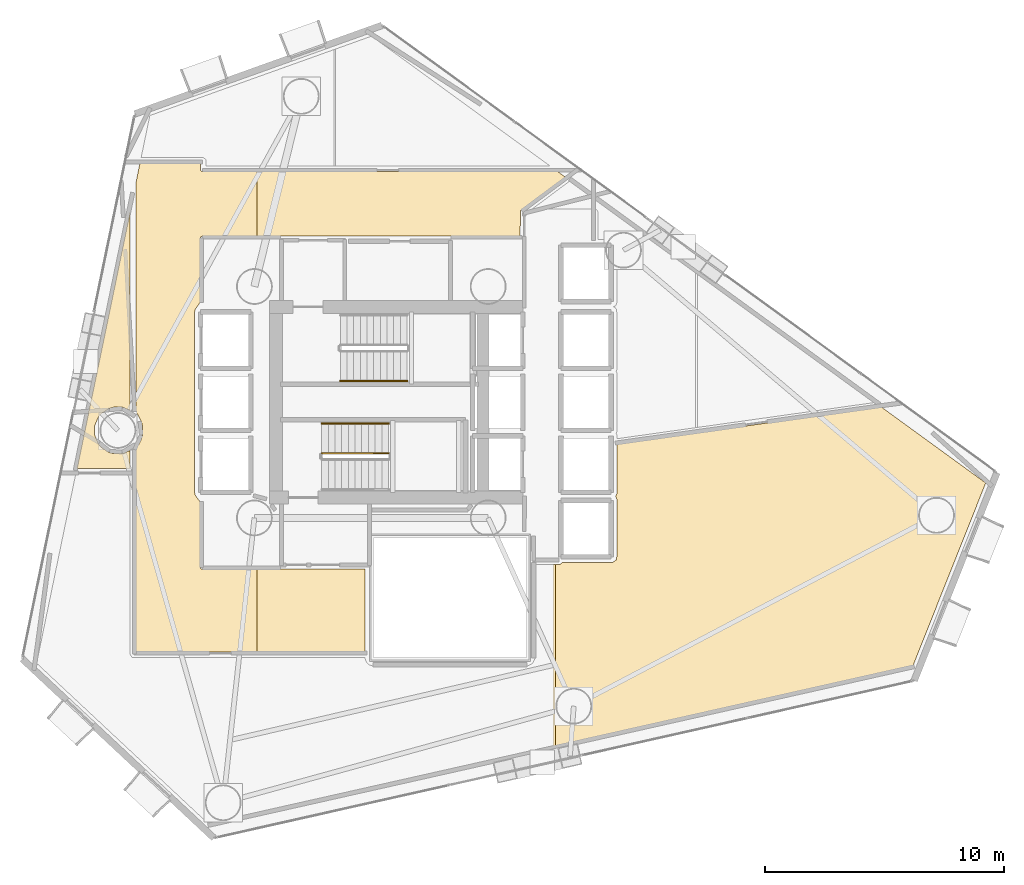
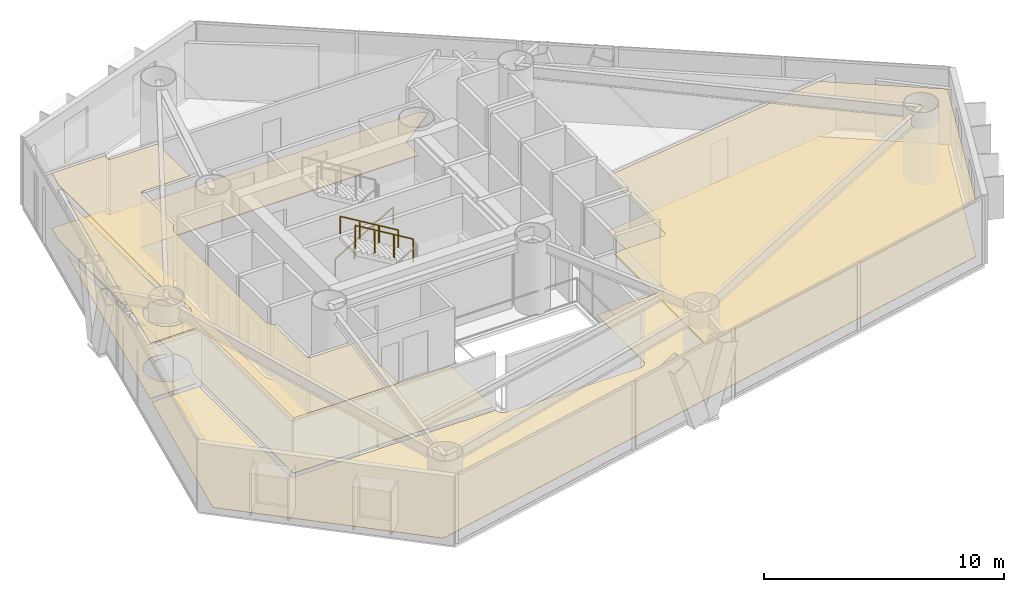
# One storey, part 17 of 18: 6 coverings, 3 railings.
"""IFC4 building model written with IfcOpenShell, lengths in metres."""

from ifc_helpers import new_model, si_unit, direction, frame, origin, origin_2d, place, context, subcontext, project, spatial, polyline, rectangle, outline, extrude, material, layer, layer_set, type_object, element, save


model = new_model("IFC4")

# Units and contexts
model_context = context("Model", 3, precision=1e-05, world=origin(), true_north=direction((0.0, 1.0)))
body_context = subcontext(model_context, "Body", "Model", "MODEL_VIEW")
ifc_project = project(units=[si_unit("LENGTHUNIT", "METRE"), si_unit("AREAUNIT", "SQUARE_METRE"), si_unit("VOLUMEUNIT", "CUBIC_METRE"), si_unit("PLANEANGLEUNIT", "RADIAN"), si_unit("MASSUNIT", "GRAM", prefix="KILO")], contexts=[model_context])

# Site, building, storey
site_placement = place(None, origin())
site = spatial("IfcSite", under=ifc_project, at=site_placement, CompositionType="ELEMENT")
building_placement = place(site_placement, origin())
building = spatial("IfcBuilding", under=site, at=building_placement, Name="Qianvela Tower", CompositionType="ELEMENT")
storey_placement = place(building_placement, frame((0.0, 0.0, 97.800048828125)))
storey = spatial("IfcBuildingStorey", under=building, at=storey_placement, Name="L24", CompositionType="ELEMENT", Elevation=97.800048828125)

# Coverings
ifc_material_1 = material(Name="Perforated Mineral Acoustic Ceiling Tile")
ifc_layer_1 = layer(ifc_material_1, 0.02490234375)
ifc_layer_set_1 = layer_set([ifc_layer_1], Name="Perforated Mineral Acoustic Ceiling Tile")
covering_type_1 = type_object("IfcCoveringType", Name="COV-CEIL-ACOUSTIC-25", PredefinedType="CEILING", material=ifc_layer_set_1)
covering_1_placement = place(storey_placement, frame((0.0, 0.0, 2.81494140625)))
element("IfcCovering", 1, at=covering_1_placement, inside=storey, type_object=covering_type_1, Name="L24 Acoustic Ceiling Bay 1 L24 Floor Corridor", PredefinedType="CEILING", context=body_context, shape_type="SweptSolid", body=[
    extrude(outline(polyline([(23.84814453125, 27.917724609375), (23.8447265625, 27.9248046875), (23.6298828125, 28.32666015625), (23.6298828125, 37.87353515625), (23.804931640625, 38.719970703125), (26.340087890625, 38.719970703125), (26.340087890625, 38.449951171875), (26.34033203125, 38.442138671875), (26.341552734375, 38.434326171875), (26.343505859375, 38.4267578125), (26.34619140625, 38.41943359375), (26.349365234375, 38.412353515625), (26.353515625, 38.405517578125), (26.358154296875, 38.399169921875), (26.36328125, 38.393310546875), (26.369140625, 38.38818359375), (26.37548828125, 38.383544921875), (26.38232421875, 38.37939453125), (26.389404296875, 38.376220703125), (26.396728515625, 38.373291015625), (26.404296875, 38.37158203125), (26.412109375, 38.370361328125), (26.419921875, 38.3701171875), (28.70068359375, 38.3701171875), (28.70068359375, 35.659912109375), (26.419921875, 35.659912109375), (26.412109375, 35.65966796875), (26.404296875, 35.658447265625), (26.396728515625, 35.656494140625), (26.389404296875, 35.65380859375), (26.38232421875, 35.650634765625), (26.37548828125, 35.646484375), (26.369140625, 35.641845703125), (26.36328125, 35.63671875), (26.358154296875, 35.630859375), (26.353515625, 35.62451171875), (26.349365234375, 35.61767578125), (26.34619140625, 35.610595703125), (26.343505859375, 35.603271484375), (26.341552734375, 35.595703125), (26.34033203125, 35.587890625), (26.340087890625, 35.580078125), (26.340087890625, 32.89599609375), (26.139404296875, 32.62548828125), (26.135498046875, 32.61962890625), (26.132080078125, 32.61376953125), (26.12939453125, 32.607421875), (26.126953125, 32.60107421875), (26.103515625, 32.523193359375), (26.1015625, 32.515625), (26.100341796875, 32.5078125), (26.10009765625, 32.5), (26.10009765625, 24.89990234375), (26.100341796875, 24.89208984375), (26.1015625, 24.884521484375), (26.103515625, 24.876708984375), (26.126953125, 24.799072265625), (26.12939453125, 24.79248046875), (26.132080078125, 24.786376953125), (26.135498046875, 24.7802734375), (26.139404296875, 24.774658203125), (26.340087890625, 24.50390625), (26.340087890625, 21.780029296875), (26.34033203125, 21.772216796875), (26.341552734375, 21.764404296875), (26.343505859375, 21.7568359375), (26.34619140625, 21.74951171875), (26.349365234375, 21.7421875), (26.353515625, 21.735595703125), (26.358154296875, 21.729248046875), (26.36328125, 21.723388671875), (26.369140625, 21.71826171875), (26.37548828125, 21.71337890625), (26.38232421875, 21.70947265625), (26.389404296875, 21.7060546875), (26.396728515625, 21.703369140625), (26.404296875, 21.701416015625), (26.412109375, 21.700439453125), (26.419921875, 21.699951171875), (28.70068359375, 21.699951171875), (28.70068359375, 18.22998046875), (23.6298828125, 18.22998046875), (23.6298828125, 26.705322265625), (23.8447265625, 27.107177734375), (23.84814453125, 27.1142578125), (23.8505859375, 27.12158203125), (23.906005859375, 27.303466796875), (23.90771484375, 27.311279296875), (23.908935546875, 27.31884765625), (23.909423828125, 27.326904296875), (23.909423828125, 27.705078125), (23.908935546875, 27.713134765625), (23.90771484375, 27.720703125), (23.906005859375, 27.728515625), (23.8505859375, 27.910400390625), (23.84814453125, 27.917724609375)])), origin(), (0.0, 0.0, 1.0), 0.02490234375),
])
covering_2_placement = place(storey_placement, frame((0.0, 0.0, 2.81494140625)))
element("IfcCovering", 2, at=covering_2_placement, inside=storey, type_object=covering_type_1, Name="L24 Acoustic Ceiling Bay 2 Shared Communal Kitchen L24-01", PredefinedType="CEILING", context=body_context, shape_type="SweptSolid", body=[
    extrude(outline(polyline([(43.74072265625, 24.750244140625), (43.74560546875, 24.756591796875), (43.74951171875, 24.76318359375), (43.7529296875, 24.7705078125), (43.7939453125, 24.869384765625), (43.796630859375, 24.876708984375), (43.798583984375, 24.884521484375), (43.799560546875, 24.89208984375), (43.800048828125, 24.89990234375), (43.800048828125, 26.944091796875), (54.877197265625, 28.500732421875), (59.256591796875, 25.315185546875), (56.208251953125, 17.656494140625), (41.21484375, 14.28515625), (41.21484375, 21.890380859375), (41.367919921875, 21.890380859375), (41.375732421875, 21.890869140625), (41.383544921875, 21.891845703125), (41.39111328125, 21.893798828125), (41.3984375, 21.896484375), (41.405517578125, 21.89990234375), (41.45947265625, 21.9287109375), (41.46630859375, 21.932861328125), (41.472900390625, 21.9375), (41.478759765625, 21.943115234375), (41.48388671875, 21.948974609375), (41.48876953125, 21.955322265625), (41.492919921875, 21.96240234375), (41.49609375, 21.969482421875), (41.498779296875, 21.97705078125), (41.49951171875, 21.97998046875), (43.59375, 21.980712890625), (43.602294921875, 21.981201171875), (43.610595703125, 21.982421875), (43.618896484375, 21.984619140625), (43.626708984375, 21.98779296875), (43.63427734375, 21.99169921875), (43.641357421875, 21.996337890625), (43.757080078125, 22.082275390625), (43.763427734375, 22.08740234375), (43.769287109375, 22.09326171875), (43.7744140625, 22.099609375), (43.77880859375, 22.106689453125), (43.782470703125, 22.114013671875), (43.785400390625, 22.12158203125), (43.78759765625, 22.129638671875), (43.788818359375, 22.1376953125), (43.789306640625, 22.14599609375), (43.800048828125, 24.599609375), (43.7998046875, 24.606689453125), (43.798828125, 24.613525390625), (43.79736328125, 24.620361328125), (43.79541015625, 24.626953125), (43.763427734375, 24.7158203125), (43.760498046875, 24.722900390625), (43.7568359375, 24.72998046875), (43.75244140625, 24.736572265625), (43.74755859375, 24.742431640625), (43.741943359375, 24.748046875), (43.740234375, 24.74951171875), (43.74072265625, 24.750244140625)])), origin(), (0.0, 0.0, 1.0), 0.02490234375),
])
covering_3_placement = place(storey_placement, frame((0.0, 0.0, 2.81494140625)))
element("IfcCovering", 3, at=covering_3_placement, inside=storey, type_object=covering_type_1, Name="L24 Acoustic Ceiling Floor Dining Kitchen L24-03", PredefinedType="CEILING", context=body_context, shape_type="SweptSolid", body=[
    extrude(outline(polyline([(23.389892578125, 26.67529296875), (23.389892578125, 25.928466796875), (21.16064453125, 25.928466796875), (23.389892578125, 36.712646484375), (23.389892578125, 28.356689453125), (23.086181640625, 28.482421875), (23.078857421875, 28.485107421875), (23.071044921875, 28.487060546875), (23.0634765625, 28.488037109375), (23.055419921875, 28.488525390625), (22.700439453125, 28.488525390625), (22.692626953125, 28.488037109375), (22.684814453125, 28.487060546875), (22.67724609375, 28.485107421875), (22.506591796875, 28.433349609375), (22.4990234375, 28.4306640625), (22.491943359375, 28.42724609375), (22.4853515625, 28.423095703125), (22.190185546875, 28.22607421875), (22.183837890625, 28.22119140625), (22.177978515625, 28.216064453125), (22.172607421875, 28.210205078125), (22.0595703125, 28.072265625), (22.0546875, 28.06591796875), (22.05078125, 28.059326171875), (22.047607421875, 28.05224609375), (21.91162109375, 27.72412109375), (21.908935546875, 27.716796875), (21.906982421875, 27.708984375), (21.906005859375, 27.701416015625), (21.888427734375, 27.523681640625), (21.887939453125, 27.51611328125), (21.888427734375, 27.50830078125), (21.906005859375, 27.33056640625), (21.906982421875, 27.322998046875), (21.908935546875, 27.315185546875), (21.91162109375, 27.307861328125), (22.047607421875, 26.979736328125), (22.05078125, 26.97265625), (22.0546875, 26.966064453125), (22.0595703125, 26.959716796875), (22.172607421875, 26.82177734375), (22.177978515625, 26.81591796875), (22.183837890625, 26.810791015625), (22.190185546875, 26.805908203125), (22.4853515625, 26.60888671875), (22.491943359375, 26.604736328125), (22.4990234375, 26.601318359375), (22.506591796875, 26.5986328125), (22.67724609375, 26.546875), (22.684814453125, 26.544921875), (22.692626953125, 26.5439453125), (22.700439453125, 26.54345703125), (23.055419921875, 26.54345703125), (23.0634765625, 26.5439453125), (23.071044921875, 26.544921875), (23.078857421875, 26.546875), (23.086181640625, 26.549560546875), (23.389892578125, 26.67529296875)])), origin(), (0.0, 0.0, 1.0), 0.02490234375),
])
ifc_material_2 = material(Name="Engineered Acoustic Oak Timber Flooring", Category="wood")
ifc_layer_2 = layer(ifc_material_2, 0.02001953125)
ifc_layer_set_2 = layer_set([ifc_layer_2], Name="Engineered Acoustic Oak Timber Flooring")
covering_type_2 = type_object("IfcCoveringType", Name="COV-FLOOR-OAK-20", PredefinedType="FLOORING", material=ifc_layer_set_2)
covering_4_placement = place(storey_placement, origin())
element("IfcCovering", 4, at=covering_4_placement, inside=storey, type_object=covering_type_2, Name="L24 Finish Flooring Shared Communal Kitchen L24-01", PredefinedType="FLOORING", context=body_context, shape_type="SweptSolid", body=[
    extrude(outline(polyline([(43.740234375, 24.74951171875), (43.74072265625, 24.750244140625), (43.74560546875, 24.756591796875), (43.74951171875, 24.76318359375), (43.7529296875, 24.7705078125), (43.7939453125, 24.869384765625), (43.796630859375, 24.876708984375), (43.798583984375, 24.884521484375), (43.799560546875, 24.89208984375), (43.800048828125, 24.89990234375), (43.800048828125, 26.944091796875), (54.877197265625, 28.500732421875), (59.256591796875, 25.315185546875), (56.208251953125, 17.656494140625), (26.683837890625, 11.017578125), (19.4716796875, 17.758544921875), (21.110107421875, 25.684326171875), (23.389892578125, 25.684326171875), (23.389892578125, 18.14990234375), (23.390380859375, 18.14208984375), (23.3916015625, 18.134521484375), (23.393310546875, 18.126708984375), (23.39599609375, 18.119384765625), (23.3994140625, 18.1123046875), (23.403564453125, 18.105712890625), (23.452880859375, 18.031494140625), (23.45751953125, 18.025390625), (23.462890625, 18.01953125), (23.468505859375, 18.014404296875), (23.474853515625, 18.009521484375), (23.481689453125, 18.005615234375), (23.48876953125, 18.002197265625), (23.49609375, 17.99951171875), (23.503662109375, 17.99755859375), (23.511474609375, 17.99658203125), (23.519287109375, 17.99609375), (33.243408203125, 17.989990234375), (33.24560546875, 17.94189453125), (33.24609375, 17.93505859375), (33.247314453125, 17.927978515625), (33.2490234375, 17.92138671875), (33.25146484375, 17.914794921875), (33.293212890625, 17.813720703125), (33.296630859375, 17.806640625), (33.30078125, 17.800048828125), (33.305419921875, 17.793701171875), (33.310546875, 17.787841796875), (33.387939453125, 17.710693359375), (33.39306640625, 17.705810546875), (33.398681640625, 17.70166015625), (33.40478515625, 17.69775390625), (33.410888671875, 17.694580078125), (33.41748046875, 17.69189453125), (33.545654296875, 17.64599609375), (33.554443359375, 17.643310546875), (33.5634765625, 17.641845703125), (33.572509765625, 17.641357421875), (40.02734375, 17.641357421875), (40.036376953125, 17.641845703125), (40.044921875, 17.643310546875), (40.053466796875, 17.645751953125), (40.0615234375, 17.64892578125), (40.232177734375, 17.729736328125), (40.239013671875, 17.7333984375), (40.24560546875, 17.73779296875), (40.251708984375, 17.74267578125), (40.25732421875, 17.748291015625), (40.26220703125, 17.75439453125), (40.2666015625, 17.760986328125), (40.270263671875, 17.767822265625), (40.35107421875, 17.9384765625), (40.354248046875, 17.946533203125), (40.356689453125, 17.955078125), (40.358154296875, 17.963623046875), (40.358642578125, 17.972412109375), (40.360107421875, 21.889892578125), (41.367919921875, 21.890380859375), (41.375732421875, 21.890869140625), (41.383544921875, 21.891845703125), (41.39111328125, 21.893798828125), (41.3984375, 21.896484375), (41.405517578125, 21.89990234375), (41.45947265625, 21.9287109375), (41.46630859375, 21.932861328125), (41.472900390625, 21.9375), (41.478759765625, 21.943115234375), (41.48388671875, 21.948974609375), (41.48876953125, 21.955322265625), (41.492919921875, 21.96240234375), (41.49609375, 21.969482421875), (41.498779296875, 21.97705078125), (41.49951171875, 21.97998046875), (43.59375, 21.980712890625), (43.602294921875, 21.981201171875), (43.610595703125, 21.982421875), (43.618896484375, 21.984619140625), (43.626708984375, 21.98779296875), (43.63427734375, 21.99169921875), (43.641357421875, 21.996337890625), (43.757080078125, 22.082275390625), (43.763427734375, 22.08740234375), (43.769287109375, 22.09326171875), (43.7744140625, 22.099609375), (43.77880859375, 22.106689453125), (43.782470703125, 22.114013671875), (43.785400390625, 22.12158203125), (43.78759765625, 22.129638671875), (43.788818359375, 22.1376953125), (43.789306640625, 22.14599609375), (43.800048828125, 24.599609375), (43.7998046875, 24.606689453125), (43.798828125, 24.613525390625), (43.79736328125, 24.620361328125), (43.79541015625, 24.626953125), (43.763427734375, 24.7158203125), (43.760498046875, 24.722900390625), (43.7568359375, 24.72998046875), (43.75244140625, 24.736572265625), (43.74755859375, 24.742431640625), (43.741943359375, 24.748046875), (43.740234375, 24.74951171875)])), origin(), (0.0, 0.0, 1.0), 0.02001953125),
])
covering_5_placement = place(storey_placement, origin())
element("IfcCovering", 5, at=covering_5_placement, inside=storey, type_object=covering_type_2, Name="L24 Finish Flooring Floor Dining Kitchen L24-03", PredefinedType="FLOORING", context=body_context, shape_type="SweptSolid", body=[
    extrude(outline(polyline([(23.389892578125, 26.67529296875), (23.389892578125, 25.928466796875), (21.16064453125, 25.928466796875), (23.389892578125, 36.712646484375), (23.389892578125, 28.356689453125), (23.086181640625, 28.482421875), (23.078857421875, 28.485107421875), (23.071044921875, 28.487060546875), (23.0634765625, 28.488037109375), (23.055419921875, 28.488525390625), (22.700439453125, 28.488525390625), (22.692626953125, 28.488037109375), (22.684814453125, 28.487060546875), (22.67724609375, 28.485107421875), (22.506591796875, 28.433349609375), (22.4990234375, 28.4306640625), (22.491943359375, 28.42724609375), (22.4853515625, 28.423095703125), (22.190185546875, 28.22607421875), (22.183837890625, 28.22119140625), (22.177978515625, 28.216064453125), (22.172607421875, 28.210205078125), (22.0595703125, 28.072265625), (22.0546875, 28.06591796875), (22.05078125, 28.059326171875), (22.047607421875, 28.05224609375), (21.91162109375, 27.72412109375), (21.908935546875, 27.716796875), (21.906982421875, 27.708984375), (21.906005859375, 27.701416015625), (21.888427734375, 27.523681640625), (21.887939453125, 27.51611328125), (21.888427734375, 27.50830078125), (21.906005859375, 27.33056640625), (21.906982421875, 27.322998046875), (21.908935546875, 27.315185546875), (21.91162109375, 27.307861328125), (22.047607421875, 26.979736328125), (22.05078125, 26.97265625), (22.0546875, 26.966064453125), (22.0595703125, 26.959716796875), (22.172607421875, 26.82177734375), (22.177978515625, 26.81591796875), (22.183837890625, 26.810791015625), (22.190185546875, 26.805908203125), (22.4853515625, 26.60888671875), (22.491943359375, 26.604736328125), (22.4990234375, 26.601318359375), (22.506591796875, 26.5986328125), (22.67724609375, 26.546875), (22.684814453125, 26.544921875), (22.692626953125, 26.5439453125), (22.700439453125, 26.54345703125), (23.055419921875, 26.54345703125), (23.0634765625, 26.5439453125), (23.071044921875, 26.544921875), (23.078857421875, 26.546875), (23.086181640625, 26.549560546875), (23.389892578125, 26.67529296875)])), origin(), (0.0, 0.0, 1.0), 0.02001953125),
])
ifc_material_3 = material(Name="Honed Stone Terrazzo Flooring", Category="masonry")
ifc_layer_3 = layer(ifc_material_3, 0.030029296875)
ifc_layer_set_3 = layer_set([ifc_layer_3], Name="Honed Stone Terrazzo Flooring")
covering_type_3 = type_object("IfcCoveringType", Name="COV-FLOOR-TERRAZZO-30", PredefinedType="FLOORING", material=ifc_layer_set_3)
covering_6_placement = place(storey_placement, origin())
element("IfcCovering", 6, at=covering_6_placement, inside=storey, type_object=covering_type_3, Name="L24 Finish Flooring L24 Floor Corridor", PredefinedType="FLOORING", context=body_context, shape_type="SweptSolid", body=[
    extrude(outline(polyline([(23.8505859375, 27.910400390625), (23.84814453125, 27.917724609375), (23.8447265625, 27.9248046875), (23.6298828125, 28.32666015625), (23.6298828125, 37.87353515625), (23.804931640625, 38.719970703125), (26.340087890625, 38.719970703125), (26.340087890625, 38.449951171875), (26.34033203125, 38.442138671875), (26.341552734375, 38.434326171875), (26.343505859375, 38.4267578125), (26.34619140625, 38.41943359375), (26.349365234375, 38.412353515625), (26.353515625, 38.405517578125), (26.358154296875, 38.399169921875), (26.36328125, 38.393310546875), (26.369140625, 38.38818359375), (26.37548828125, 38.383544921875), (26.38232421875, 38.37939453125), (26.389404296875, 38.376220703125), (26.396728515625, 38.373291015625), (26.404296875, 38.37158203125), (26.412109375, 38.370361328125), (26.419921875, 38.3701171875), (41.309814453125, 38.3701171875), (41.638671875, 38.130859375), (39.784423828125, 36.753662109375), (39.778076171875, 36.748291015625), (39.772216796875, 36.742431640625), (39.76708984375, 36.736083984375), (39.7626953125, 36.729248046875), (39.759033203125, 36.721923828125), (39.756103515625, 36.71435546875), (39.75390625, 36.70654296875), (39.752685546875, 36.698486328125), (39.752197265625, 36.690185546875), (39.739013671875, 35.659912109375), (26.419921875, 35.659912109375), (26.412109375, 35.65966796875), (26.404296875, 35.658447265625), (26.396728515625, 35.656494140625), (26.389404296875, 35.65380859375), (26.38232421875, 35.650634765625), (26.37548828125, 35.646484375), (26.369140625, 35.641845703125), (26.36328125, 35.63671875), (26.358154296875, 35.630859375), (26.353515625, 35.62451171875), (26.349365234375, 35.61767578125), (26.34619140625, 35.610595703125), (26.343505859375, 35.603271484375), (26.341552734375, 35.595703125), (26.34033203125, 35.587890625), (26.340087890625, 35.580078125), (26.340087890625, 32.89599609375), (26.139404296875, 32.62548828125), (26.135498046875, 32.61962890625), (26.132080078125, 32.61376953125), (26.12939453125, 32.607421875), (26.126953125, 32.60107421875), (26.103515625, 32.523193359375), (26.1015625, 32.515625), (26.100341796875, 32.5078125), (26.10009765625, 32.5), (26.10009765625, 24.89990234375), (26.100341796875, 24.89208984375), (26.1015625, 24.884521484375), (26.103515625, 24.876708984375), (26.126953125, 24.799072265625), (26.12939453125, 24.79248046875), (26.132080078125, 24.786376953125), (26.135498046875, 24.7802734375), (26.139404296875, 24.774658203125), (26.340087890625, 24.50390625), (26.340087890625, 21.780029296875), (26.34033203125, 21.772216796875), (26.341552734375, 21.764404296875), (26.343505859375, 21.7568359375), (26.34619140625, 21.74951171875), (26.349365234375, 21.7421875), (26.353515625, 21.735595703125), (26.358154296875, 21.729248046875), (26.36328125, 21.723388671875), (26.369140625, 21.71826171875), (26.37548828125, 21.71337890625), (26.38232421875, 21.70947265625), (26.389404296875, 21.7060546875), (26.396728515625, 21.703369140625), (26.404296875, 21.701416015625), (26.412109375, 21.700439453125), (26.419921875, 21.699951171875), (33.239990234375, 21.699951171875), (33.239990234375, 18.22998046875), (23.6298828125, 18.22998046875), (23.6298828125, 26.705322265625), (23.8447265625, 27.107177734375), (23.84814453125, 27.1142578125), (23.8505859375, 27.12158203125), (23.906005859375, 27.303466796875), (23.90771484375, 27.311279296875), (23.908935546875, 27.31884765625), (23.909423828125, 27.326904296875), (23.909423828125, 27.705078125), (23.908935546875, 27.713134765625), (23.90771484375, 27.720703125), (23.906005859375, 27.728515625), (23.8505859375, 27.910400390625)])), origin(), (0.0, 0.0, 1.0), 0.030029296875),
])

# Railings
ifc_material_4 = material(Name="Painted Tubular Steel Q355B", Category="steel")
railing_type_1 = type_object("IfcRailingType", Name="RL-STAIR-GUARD-1200", PredefinedType="GUARDRAIL", material=ifc_material_4)
railing_1_placement = place(storey_placement, frame((34.219970703125, 26.56005859375, 2.01806640625)))
element("IfcRailing", 7, at=railing_1_placement, inside=storey, type_object=railing_type_1, Name="L24 ST-2 stair guard 3", PredefinedType="GUARDRAIL", context=body_context, shape_type="SweptSolid", body=[
    extrude(rectangle(XDim=0.050048828125, YDim=0.0400390625, at=origin_2d()), frame((0.0, 0.0, 1.179931640625), z_axis=(-0.857242210791, 0.0, 0.514913383045), x_axis=(0.0, -1.0, 0.0)), (0.0, 0.0, 1.0), 3.266357421875),
    extrude(rectangle(XDim=0.050048828125, YDim=0.050048828125, at=origin_2d()), origin(), (0.0, 0.0, 1.0), 1.159912109375),
    extrude(rectangle(XDim=0.050048828125, YDim=0.050048828125, at=origin_2d()), frame((-0.933349609375, 0.0, 0.560546875)), (0.0, 0.0, 1.0), 1.159912109375),
    extrude(rectangle(XDim=0.050048828125, YDim=0.050048828125, at=origin_2d()), frame((-1.86669921875, 0.0, 1.121337890625)), (0.0, 0.0, 1.0), 1.159912109375),
    extrude(rectangle(XDim=0.050048828125, YDim=0.050048828125, at=origin_2d()), frame((-2.800048828125, 0.0, 1.681884765625)), (0.0, 0.0, 1.0), 1.159912109375),
])
ifc_material_5 = material(Name="Brushed Stainless Steel 304", Category="steel")
railing_type_2 = type_object("IfcRailingType", Name="RL-STAIR-HANDRAIL-900", PredefinedType="HANDRAIL", material=ifc_material_5)
railing_2_placement = place(storey_placement, frame((32.199951171875, 29.590087890625, 0.168212890625)))
element("IfcRailing", 8, at=railing_2_placement, inside=storey, type_object=railing_type_2, Name="L24 ST-1 stair handrail 1", PredefinedType="HANDRAIL", context=body_context, shape_type="SweptSolid", body=[
    extrude(rectangle(XDim=0.050048828125, YDim=0.0400390625, at=origin_2d()), frame((0.0, 0.0, 0.8798828125), z_axis=(0.857275202839, 0.0, 0.514858452973), x_axis=(0.0, 1.0, 0.0)), (0.0, 0.0, 1.0), 3.26611328125),
    extrude(rectangle(XDim=0.050048828125, YDim=0.050048828125, at=origin_2d()), origin(), (0.0, 0.0, 1.0), 0.85986328125),
    extrude(rectangle(XDim=0.050048828125, YDim=0.050048828125, at=origin_2d()), frame((0.933349609375, 0.0, 0.560546875)), (0.0, 0.0, 1.0), 0.85986328125),
    extrude(rectangle(XDim=0.050048828125, YDim=0.050048828125, at=origin_2d()), frame((1.86669921875, 0.0, 1.12109375)), (0.0, 0.0, 1.0), 0.85986328125),
    extrude(rectangle(XDim=0.050048828125, YDim=0.050048828125, at=origin_2d()), frame((2.800048828125, 0.0, 1.681640625)), (0.0, 0.0, 1.0), 0.85986328125),
])
railing_3_placement = place(storey_placement, frame((34.219970703125, 27.81005859375, 2.01806640625)))
element("IfcRailing", 9, at=railing_3_placement, inside=storey, type_object=railing_type_2, Name="L24 ST-2 stair handrail 2", PredefinedType="HANDRAIL", context=body_context, shape_type="SweptSolid", body=[
    extrude(rectangle(XDim=0.050048828125, YDim=0.0400390625, at=origin_2d()), frame((0.0, 0.0, 0.8798828125), z_axis=(-0.857242210791, 0.0, 0.514913383045), x_axis=(0.0, -1.0, 0.0)), (0.0, 0.0, 1.0), 3.266357421875),
    extrude(rectangle(XDim=0.050048828125, YDim=0.050048828125, at=origin_2d()), origin(), (0.0, 0.0, 1.0), 0.85986328125),
    extrude(rectangle(XDim=0.050048828125, YDim=0.050048828125, at=origin_2d()), frame((-0.933349609375, 0.0, 0.560546875)), (0.0, 0.0, 1.0), 0.85986328125),
    extrude(rectangle(XDim=0.050048828125, YDim=0.050048828125, at=origin_2d()), frame((-1.86669921875, 0.0, 1.121337890625)), (0.0, 0.0, 1.0), 0.85986328125),
    extrude(rectangle(XDim=0.050048828125, YDim=0.050048828125, at=origin_2d()), frame((-2.800048828125, 0.0, 1.681884765625)), (0.0, 0.0, 1.0), 0.85986328125),
])

save(model, "model.ifc")
